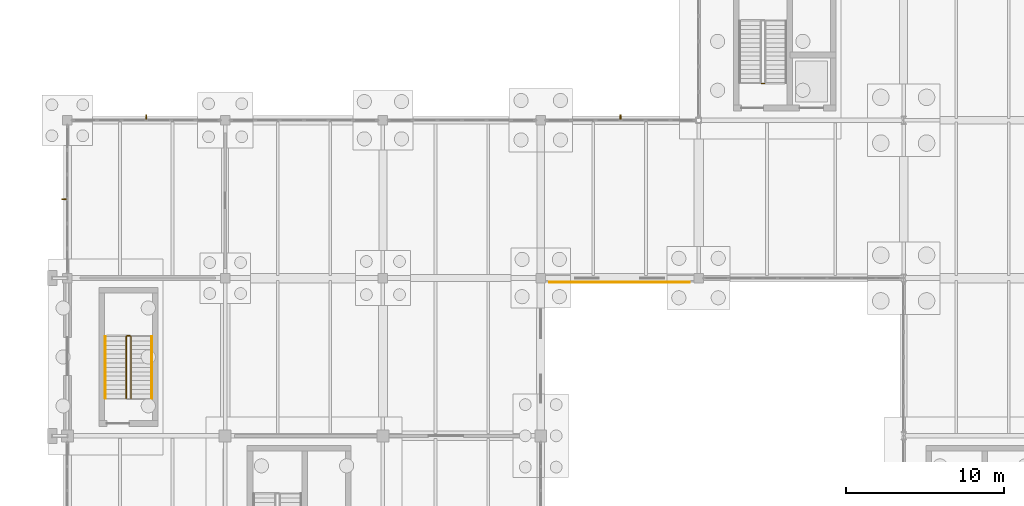
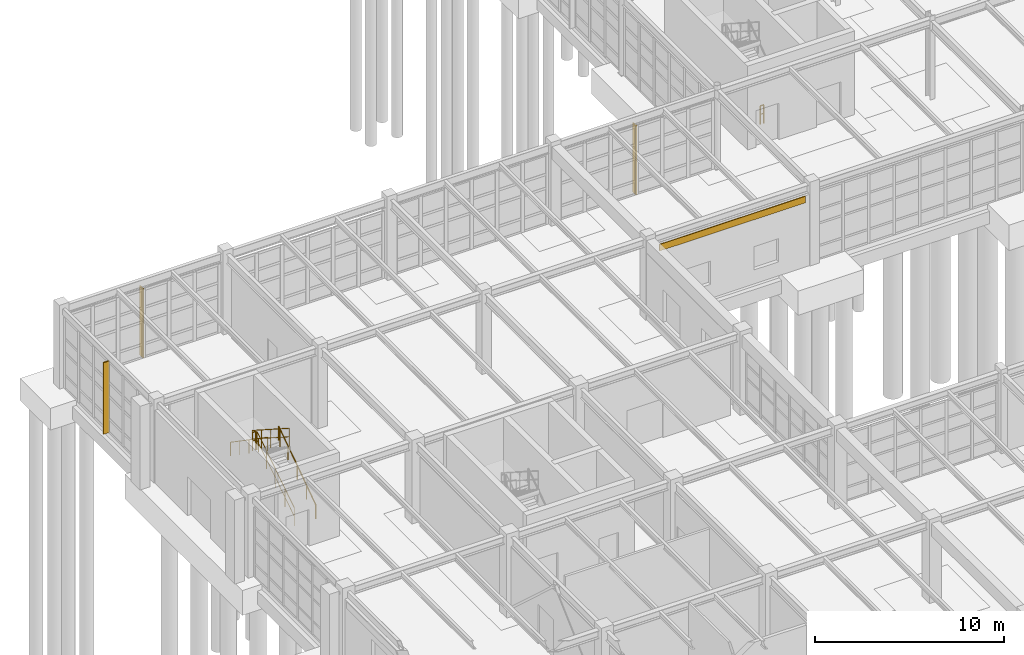
# One storey, part 135 of 145: 6 railings, 3 shading devices, 1 covering.
"""IFC4 building model written with IfcOpenShell, lengths in metres."""

from ifc_helpers import new_model, si_unit, direction, frame, origin, origin_2d, place, context, subcontext, project, spatial, polyline, rectangle, circle, outline, extrude, material, layer, layer_set, type_object, element, save


model = new_model("IFC4")

# Units and contexts
model_context = context("Model", 3, precision=1e-05, world=origin(), true_north=direction((0.0, 1.0)))
body_context = subcontext(model_context, "Body", "Model", "MODEL_VIEW")
ifc_project = project(units=[si_unit("LENGTHUNIT", "METRE"), si_unit("AREAUNIT", "SQUARE_METRE"), si_unit("VOLUMEUNIT", "CUBIC_METRE"), si_unit("PLANEANGLEUNIT", "RADIAN"), si_unit("MASSUNIT", "GRAM", prefix="KILO"), si_unit("THERMODYNAMICTEMPERATUREUNIT", "KELVIN"), si_unit("POWERUNIT", "WATT")], contexts=[model_context])

# Site, building, storey
site_placement = place(None, origin())
site = spatial("IfcSite", under=ifc_project, at=site_placement, CompositionType="ELEMENT")
building_placement = place(site_placement, origin())
building = spatial("IfcBuilding", under=site, at=building_placement, Name="Korenveer Ferry Terminal", CompositionType="ELEMENT")
storey_placement = place(building_placement, origin())
storey = spatial("IfcBuildingStorey", under=building, at=storey_placement, Name="L00", CompositionType="ELEMENT", Elevation=0.0)

# Covering
ifc_material_1 = material(Name="Carved Belgian bluestone spandrel cladding", Category="masonry")
ifc_layer = layer(ifc_material_1, 0.050048828125)
ifc_layer_set = layer_set([ifc_layer], Name="Carved Belgian bluestone spandrel cladding")
covering_type = type_object("IfcCoveringType", Name="ENV-COV-STONE", PredefinedType="CLADDING", material=ifc_layer_set)
covering_placement = place(storey_placement, frame((0.0, 0.0, 4.169921875)))
element("IfcCovering", 1, at=covering_placement, inside=storey, type_object=covering_type, Name="Belgian bluestone spandrel band 6", PredefinedType="CLADDING", context=body_context, shape_type="SweptSolid", body=[
    extrude(outline(polyline([(30.550048828125, 69.705078125), (39.449951171875, 69.705078125), (39.449951171875, 69.7548828125), (30.550048828125, 69.7548828125), (30.550048828125, 69.705078125)])), origin(), (0.0, 0.0, 1.0), 0.420166015625),
])

# Shading devices
ifc_material_2 = material(Name="Anodised bronze aluminium solar fin", Category="aluminium")
shading_device_type = type_object("IfcShadingDeviceType", Name="ENV-SHD-FIN", PredefinedType="JALOUSIE", material=ifc_material_2)
for number, where, z_axis, x_axis, name in (
    (2, (5.0, 80.159912109375, -0.02001953125), (0.0, 0.0, 1.0), (0.0, 1.0, 0.0), "Gothic solar fin 3"),
    (3, (35.06103515625, 80.159912109375, -0.02001953125), (0.0, 0.0, 1.0), (0.0, 1.0, 0.0), "Gothic solar fin 4"),
):
    element("IfcShadingDevice", number, at=place(storey_placement, frame(where, z_axis=z_axis, x_axis=x_axis)), inside=storey, type_object=shading_device_type, Name=name, PredefinedType="JALOUSIE", context=body_context, shape_type="SweptSolid", body=[
        extrude(rectangle(XDim=0.360107421875, YDim=0.080078125, at=origin_2d()), origin(), (0.0, 0.0, 1.0), 4.4599609375),
    ])
shading_device_placement = place(storey_placement, frame((-0.159912109375, 75.0, -0.02001953125), z_axis=(0.0, 0.0, 1.0), x_axis=(1.0, 0.0, 0.0)))
element("IfcShadingDevice", 4, at=shading_device_placement, inside=storey, type_object=shading_device_type, Name="Gothic solar fin 8", PredefinedType="JALOUSIE", context=body_context, shape_type="SweptSolid", body=[
    extrude(rectangle(XDim=0.360107421875, YDim=0.080078125, at=origin_2d()), origin(), (0.0, 0.0, 1.0), 4.610107421875),
])

# Railings
ifc_material_3 = material(Name="Brushed stainless steel handrail", Category="steel")
railing_type_1 = type_object("IfcRailingType", Name="INT-RL-HND90", PredefinedType="HANDRAIL", material=ifc_material_3)
railing_1_placement = place(storey_placement, frame((5.35009765625, 62.3798828125, 0.179931640625)))
element("IfcRailing", 5, at=railing_1_placement, inside=storey, type_object=railing_type_1, Name="L00 ST11 stair handrail 1", PredefinedType="HANDRAIL", context=body_context, shape_type="SweptSolid", body=[
    extrude(circle(Radius=0.02392578125, at=origin_2d()), frame((0.0, 0.0, 0.8759765625), z_axis=(0.0, 0.823567234665, 0.567218661528), x_axis=(-1.0, 0.0, 0.0)), (0.0, 0.0, 1.0), 4.760009765625),
    extrude(circle(Radius=0.02099609375, at=origin_2d()), origin(), (0.0, 0.0, 1.0), 0.851806640625),
    extrude(circle(Radius=0.02099609375, at=origin_2d()), frame((0.0, 0.97998046875, 0.675048828125)), (0.0, 0.0, 1.0), 0.851806640625),
    extrude(circle(Radius=0.02099609375, at=origin_2d()), frame((0.0, 1.9599609375, 1.35009765625)), (0.0, 0.0, 1.0), 0.851806640625),
    extrude(circle(Radius=0.02099609375, at=origin_2d()), frame((0.0, 2.940185546875, 2.02490234375)), (0.0, 0.0, 1.0), 0.851806640625),
    extrude(circle(Radius=0.02099609375, at=origin_2d()), frame((0.0, 3.920166015625, 2.699951171875)), (0.0, 0.0, 1.0), 0.851806640625),
])
railing_2_placement = place(storey_placement, frame((2.409912109375, 66.300048828125, 2.8798828125)))
element("IfcRailing", 6, at=railing_2_placement, inside=storey, type_object=railing_type_1, Name="L00 ST11 stair handrail 2", PredefinedType="HANDRAIL", context=body_context, shape_type="SweptSolid", body=[
    extrude(circle(Radius=0.02392578125, at=origin_2d()), frame((0.0, 0.0, 0.8759765625), z_axis=(0.0, -0.82354327477, 0.567253448276), x_axis=(1.0, 0.0, 0.0)), (0.0, 0.0, 1.0), 4.760009765625),
    extrude(circle(Radius=0.02099609375, at=origin_2d()), origin(), (0.0, 0.0, 1.0), 0.851806640625),
    extrude(circle(Radius=0.02099609375, at=origin_2d()), frame((0.0, -0.97998046875, 0.675048828125)), (0.0, 0.0, 1.0), 0.851806640625),
    extrude(circle(Radius=0.02099609375, at=origin_2d()), frame((0.0, -1.9599609375, 1.35009765625)), (0.0, 0.0, 1.0), 0.851806640625),
    extrude(circle(Radius=0.02099609375, at=origin_2d()), frame((0.0, -2.940185546875, 2.025146484375)), (0.0, 0.0, 1.0), 0.851806640625),
    extrude(circle(Radius=0.02099609375, at=origin_2d()), frame((0.0, -3.920166015625, 2.7001953125)), (0.0, 0.0, 1.0), 0.851806640625),
])
ifc_material_4 = material(Name="Painted steel stair guard", Category="steel")
railing_type_2 = type_object("IfcRailingType", Name="INT-RL-STGRD", PredefinedType="GUARDRAIL", material=ifc_material_4)
railing_3_placement = place(storey_placement, frame((44.179931640625, 82.330078125, 0.0)))
element("IfcRailing", 7, at=railing_3_placement, inside=storey, type_object=railing_type_2, Name="L00 ST07 stair guard 4", PredefinedType="GUARDRAIL", context=body_context, shape_type="SweptSolid", body=[
    extrude(circle(Radius=0.02392578125, at=origin_2d()), frame((0.0, 0.0, 1.17578125), z_axis=(-1.0, 0.0, 0.0), x_axis=(0.0, -1.0, 0.0)), (0.0, 0.0, 1.0), 0.199951171875),
    extrude(circle(Radius=0.01806640625, at=origin_2d()), frame((0.0, 0.0, 0.6240234375), z_axis=(-1.0, 0.0, 0.0), x_axis=(0.0, -1.0, 0.0)), (0.0, 0.0, 1.0), 0.199951171875),
    extrude(circle(Radius=0.02099609375, at=origin_2d()), origin(), (0.0, 0.0, 1.0), 1.15185546875),
    extrude(circle(Radius=0.02099609375, at=origin_2d()), frame((-0.199951171875, 0.0, 0.0)), (0.0, 0.0, 1.0), 1.15185546875),
])
railing_4_placement = place(storey_placement, frame((4.030029296875, 62.3798828125, 0.179931640625)))
element("IfcRailing", 8, at=railing_4_placement, inside=storey, type_object=railing_type_2, Name="L00 ST11 stair guard 1", PredefinedType="GUARDRAIL", context=body_context, shape_type="SweptSolid", body=[
    extrude(circle(Radius=0.02392578125, at=origin_2d()), frame((0.0, 0.0, 1.17578125), z_axis=(0.0, 0.841186985886, 0.540744352514), x_axis=(-1.0, 0.0, 0.0)), (0.0, 0.0, 1.0), 4.660400390625),
    extrude(circle(Radius=0.01806640625, at=origin_2d()), frame((0.0, 0.0, 0.6240234375), z_axis=(0.0, 0.841186985886, 0.540744352514), x_axis=(-1.0, 0.0, 0.0)), (0.0, 0.0, 1.0), 4.660400390625),
    extrude(circle(Radius=0.02099609375, at=origin_2d()), origin(), (0.0, 0.0, 1.0), 1.15185546875),
    extrude(circle(Radius=0.02099609375, at=origin_2d()), frame((0.0, 0.97998046875, 0.6298828125)), (0.0, 0.0, 1.0), 1.15185546875),
    extrude(circle(Radius=0.02099609375, at=origin_2d()), frame((0.0, 1.9599609375, 1.260009765625)), (0.0, 0.0, 1.0), 1.15185546875),
    extrude(circle(Radius=0.02099609375, at=origin_2d()), frame((0.0, 2.940185546875, 1.89013671875)), (0.0, 0.0, 1.0), 1.15185546875),
    extrude(circle(Radius=0.02099609375, at=origin_2d()), frame((0.0, 3.920166015625, 2.52001953125)), (0.0, 0.0, 1.0), 1.15185546875),
])
railing_5_placement = place(storey_placement, frame((3.97998046875, 66.35009765625, 2.699951171875)))
element("IfcRailing", 9, at=railing_5_placement, inside=storey, type_object=railing_type_2, Name="L00 ST11 stair guard 2", PredefinedType="GUARDRAIL", context=body_context, shape_type="SweptSolid", body=[
    extrude(circle(Radius=0.02392578125, at=origin_2d()), frame((0.0, 0.0, 1.17578125), z_axis=(-1.0, 0.0, 0.0), x_axis=(0.0, -1.0, 0.0)), (0.0, 0.0, 1.0), 0.199951171875),
    extrude(circle(Radius=0.01806640625, at=origin_2d()), frame((0.0, 0.0, 0.6240234375), z_axis=(-1.0, 0.0, 0.0), x_axis=(0.0, -1.0, 0.0)), (0.0, 0.0, 1.0), 0.199951171875),
    extrude(circle(Radius=0.02099609375, at=origin_2d()), origin(), (0.0, 0.0, 1.0), 1.15185546875),
    extrude(circle(Radius=0.02099609375, at=origin_2d()), frame((-0.199951171875, 0.0, 0.0)), (0.0, 0.0, 1.0), 1.15185546875),
])
railing_6_placement = place(storey_placement, frame((3.72998046875, 66.300048828125, 2.8798828125)))
element("IfcRailing", 10, at=railing_6_placement, inside=storey, type_object=railing_type_2, Name="L00 ST11 stair guard 3", PredefinedType="GUARDRAIL", context=body_context, shape_type="SweptSolid", body=[
    extrude(circle(Radius=0.02392578125, at=origin_2d()), frame((0.0, 0.0, 1.17578125), z_axis=(0.0, -0.841186985886, 0.540744352514), x_axis=(1.0, 0.0, 0.0)), (0.0, 0.0, 1.0), 4.660400390625),
    extrude(circle(Radius=0.01806640625, at=origin_2d()), frame((0.0, 0.0, 0.6240234375), z_axis=(0.0, -0.841186985886, 0.540744352514), x_axis=(1.0, 0.0, 0.0)), (0.0, 0.0, 1.0), 4.660400390625),
    extrude(circle(Radius=0.02099609375, at=origin_2d()), origin(), (0.0, 0.0, 1.0), 1.15185546875),
    extrude(circle(Radius=0.02099609375, at=origin_2d()), frame((0.0, -0.97998046875, 0.6298828125)), (0.0, 0.0, 1.0), 1.15185546875),
    extrude(circle(Radius=0.02099609375, at=origin_2d()), frame((0.0, -1.9599609375, 1.260009765625)), (0.0, 0.0, 1.0), 1.15185546875),
    extrude(circle(Radius=0.02099609375, at=origin_2d()), frame((0.0, -2.940185546875, 1.89013671875)), (0.0, 0.0, 1.0), 1.15185546875),
    extrude(circle(Radius=0.02099609375, at=origin_2d()), frame((0.0, -3.920166015625, 2.52001953125)), (0.0, 0.0, 1.0), 1.15185546875),
])

save(model, "model.ifc")
